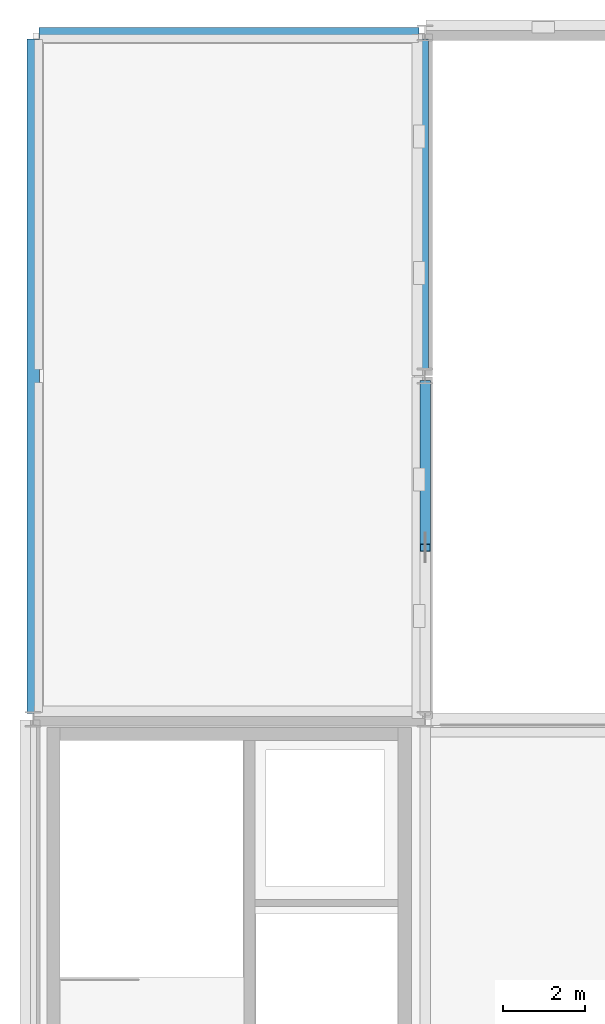
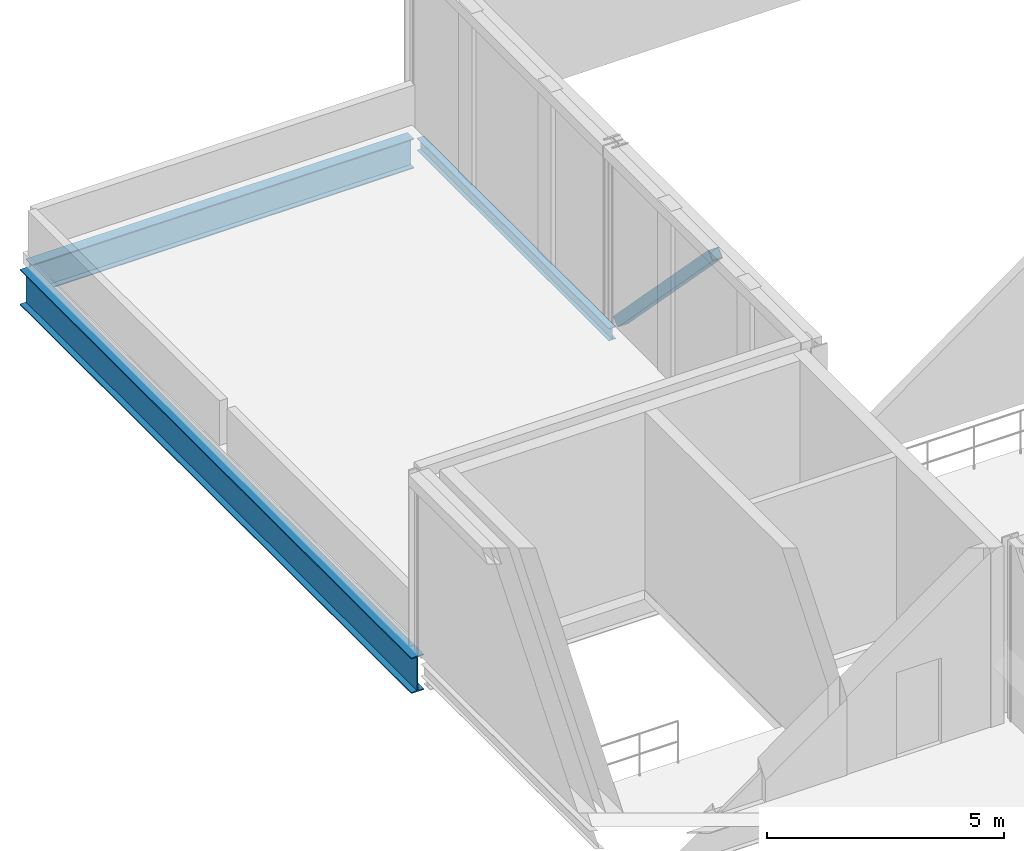
# One storey, part 14 of 26: 3 beams, 1 member.
"""IFC4 building model written with IfcOpenShell, lengths in metres."""

from ifc_helpers import new_model, si_unit, direction, frame, origin, origin_2d, place, context, subcontext, project, spatial, hollow_rectangle, i_section, extrude, material, material_profile, profile_set, type_object, element, save


model = new_model("IFC4")

# Units and contexts
model_context = context("Model", 3, precision=1e-05, world=origin(), true_north=direction((0.0, 1.0)))
body_context = subcontext(model_context, "Body", "Model", "MODEL_VIEW")
ifc_project = project(units=[si_unit("LENGTHUNIT", "METRE"), si_unit("AREAUNIT", "SQUARE_METRE"), si_unit("VOLUMEUNIT", "CUBIC_METRE"), si_unit("PLANEANGLEUNIT", "RADIAN"), si_unit("MASSUNIT", "GRAM", prefix="KILO")], contexts=[model_context])

# Site, building, storey
site_placement = place(None, origin())
site = spatial("IfcSite", under=ifc_project, at=site_placement, CompositionType="ELEMENT")
building_placement = place(site_placement, origin())
building = spatial("IfcBuilding", under=site, at=building_placement, Name="Lornevale Opera House", CompositionType="ELEMENT")
storey_placement = place(building_placement, frame((0.0, 0.0, 19.800048828125)))
storey = spatial("IfcBuildingStorey", under=building, at=storey_placement, Name="L05", CompositionType="ELEMENT", Elevation=19.800048828125)

# Member
ifc_material = material(Name="Structural Steel CSA G40.21 Grade 350W (350 MPa)", Category="steel")
ifc_material_profile_1 = material_profile(ifc_material, hollow_rectangle(XDim=0.25390625, YDim=0.25390625, WallThickness=0.0126953125, at=origin_2d()), Name="HSS254x254x13")
ifc_profile_set_1 = profile_set([ifc_material_profile_1], Name="Structural Steel CSA G40.21 Grade 350W (350 MPa)")
member_type = type_object("IfcMemberType", Name="Stagehouse Lateral Brace HSS254x254x13", PredefinedType="BRACE", material=ifc_profile_set_1)
member_placement = place(storey_placement, frame((67.199951171875, 75.406494140625, 0.099853515625), z_axis=(0.0, -0.696290937503, 0.717759660577), x_axis=(1.0, 0.0, 0.0)))
element("IfcMember", 1, at=member_placement, inside=storey, type_object=member_type, Name="Stagehouse Lateral Brace HSS254x254x13 0113", PredefinedType="BRACE", context=body_context, shape_type="SweptSolid", body=[
    extrude(hollow_rectangle(XDim=0.25390625, YDim=0.25390625, WallThickness=0.0126953125, at=origin_2d()), origin(), (0.0, 0.0, 1.0), 5.754150390625),
])

# Beams
ifc_material_profile_2 = material_profile(ifc_material, i_section(OverallWidth=0.1669921875, OverallDepth=0.31689453125, WebThickness=0.007568359375, FlangeThickness=0.01318359375, at=origin_2d()), Name="W310x52")
ifc_profile_set_2 = profile_set([ifc_material_profile_2], Name="Structural Steel CSA G40.21 Grade 350W (350 MPa)")
beam_type_1 = type_object("IfcBeamType", Name="Steel Spandrel Beam W310x52", PredefinedType="SPANDREL", material=ifc_profile_set_2)
beam_1_placement = place(storey_placement, frame((67.199951171875, 75.74951171875, -0.463623046875), z_axis=(0.0, 1.0, 0.0), x_axis=(-1.0, 0.0, 0.0)))
element("IfcBeam", 2, at=beam_1_placement, inside=storey, type_object=beam_type_1, Name="Steel Spandrel Beam W310x52 2766", PredefinedType="SPANDREL", context=body_context, shape_type="SweptSolid", body=[
    extrude(i_section(OverallWidth=0.1669921875, OverallDepth=0.31689453125, WebThickness=0.007568359375, FlangeThickness=0.01318359375, at=origin_2d()), origin(), (0.0, 0.0, 1.0), 8.10107421875),
])
ifc_material_profile_3 = material_profile(ifc_material, i_section(OverallWidth=0.305908203125, OverallDepth=0.9189453125, WebThickness=0.017333984375, FlangeThickness=0.02783203125, at=origin_2d()), Name="W920x253")
ifc_profile_set_3 = profile_set([ifc_material_profile_3], Name="Structural Steel CSA G40.21 Grade 350W (350 MPa)")
beam_type_2 = type_object("IfcBeamType", Name="Steel Stagehouse Girder W920x253", PredefinedType="USERDEFINED", material=ifc_profile_set_3)
beam_2_placement = place(storey_placement, frame((57.60009765625, 67.343505859375, -0.7646484375), z_axis=(0.0, 1.0, 0.0), x_axis=(-1.0, 0.0, 0.0)))
element("IfcBeam", 3, at=beam_2_placement, inside=storey, type_object=beam_type_2, Name="Steel Stagehouse Girder W920x253 2760", ObjectType="GIRDER", PredefinedType="USERDEFINED", context=body_context, shape_type="SweptSolid", body=[
    extrude(i_section(OverallWidth=0.305908203125, OverallDepth=0.9189453125, WebThickness=0.017333984375, FlangeThickness=0.02783203125, at=origin_2d()), origin(), (0.0, 0.0, 1.0), 16.512939453125),
])
ifc_material_profile_4 = material_profile(ifc_material, i_section(OverallWidth=0.26708984375, OverallDepth=0.76611328125, WebThickness=0.014892578125, FlangeThickness=0.023681640625, at=origin_2d()), Name="W760x185")
ifc_profile_set_4 = profile_set([ifc_material_profile_4], Name="Structural Steel CSA G40.21 Grade 350W (350 MPa)")
beam_type_3 = type_object("IfcBeamType", Name="Steel Workshop Girder W760x185", PredefinedType="USERDEFINED", material=ifc_profile_set_4)
beam_3_placement = place(storey_placement, frame((57.748046875, 84.0, -0.68798828125), z_axis=(1.0, 0.0, 0.0), x_axis=(0.0, 1.0, 0.0)))
element("IfcBeam", 4, at=beam_3_placement, inside=storey, type_object=beam_type_3, Name="Steel Workshop Girder W760x185 2756", ObjectType="GIRDER", PredefinedType="USERDEFINED", context=body_context, shape_type="SweptSolid", body=[
    extrude(i_section(OverallWidth=0.26708984375, OverallDepth=0.76611328125, WebThickness=0.014892578125, FlangeThickness=0.023681640625, at=origin_2d()), origin(), (0.0, 0.0, 1.0), 9.302490234375),
])

save(model, "model.ifc")
